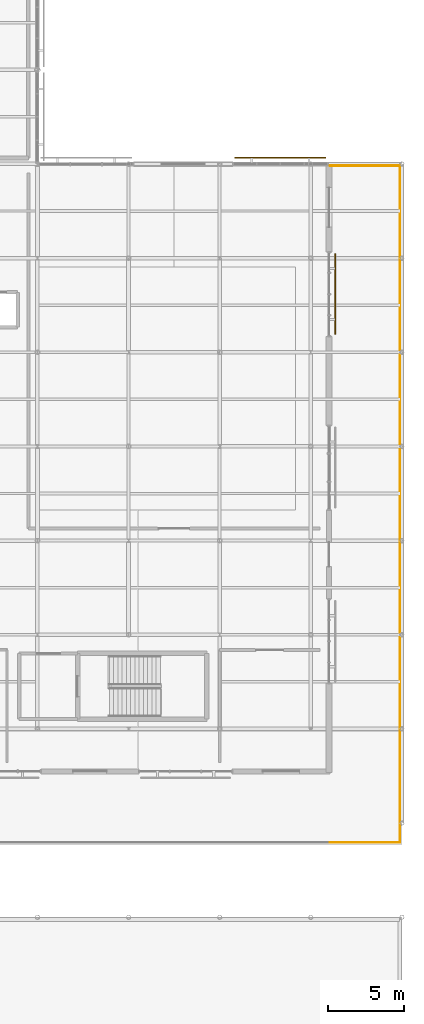
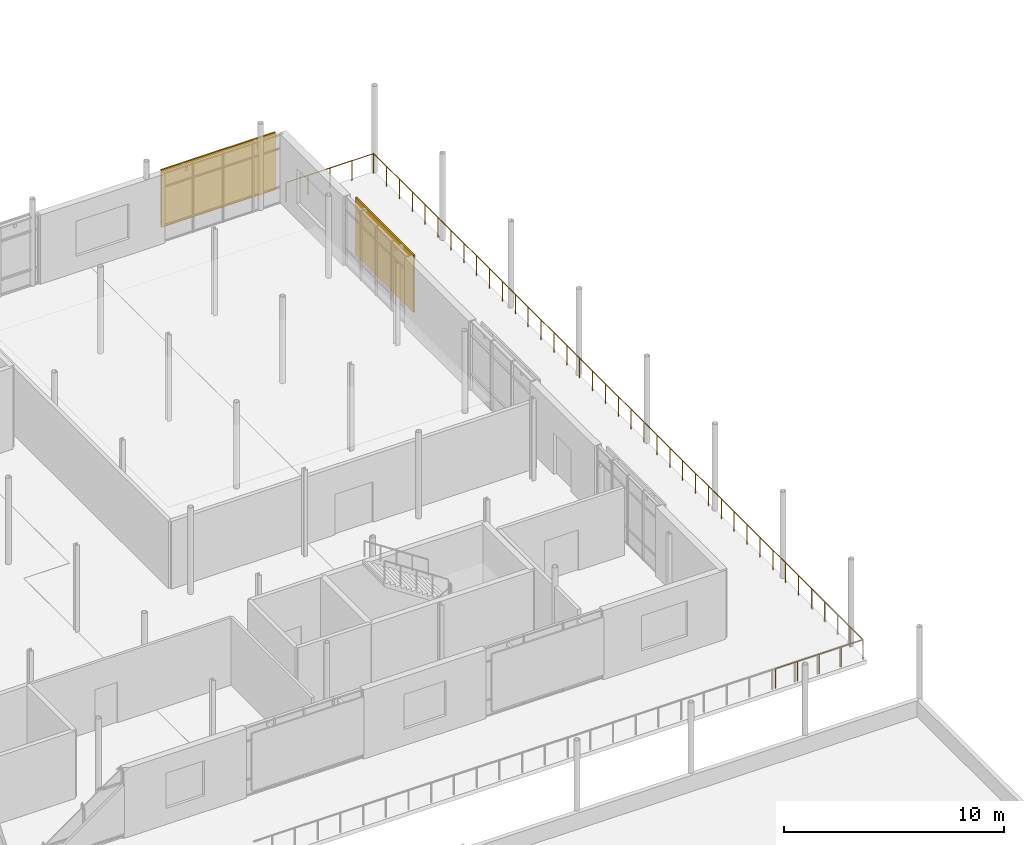
# One storey, part 66 of 66: 2 shading devices, 1 railing.
"""IFC4 building model written with IfcOpenShell, lengths in metres."""

from ifc_helpers import new_model, si_unit, direction, frame, origin, origin_2d, place, context, subcontext, project, spatial, rectangle, circle, extrude, material, layer, layer_set, type_object, element, save


model = new_model("IFC4")

# Units and contexts
model_context = context("Model", 3, precision=1e-05, world=origin(), true_north=direction((0.0, 1.0)))
body_context = subcontext(model_context, "Body", "Model", "MODEL_VIEW")
ifc_project = project(units=[si_unit("LENGTHUNIT", "METRE"), si_unit("AREAUNIT", "SQUARE_METRE"), si_unit("VOLUMEUNIT", "CUBIC_METRE"), si_unit("PLANEANGLEUNIT", "RADIAN"), si_unit("MASSUNIT", "GRAM", prefix="KILO")], contexts=[model_context])

# Site, building, storey
site_placement = place(None, origin())
site = spatial("IfcSite", under=ifc_project, at=site_placement, CompositionType="ELEMENT")
building_placement = place(site_placement, origin())
building = spatial("IfcBuilding", under=site, at=building_placement, Name="Mirzam Square Science Centre", CompositionType="ELEMENT")
storey_placement = place(building_placement, frame((0.0, 0.0, 15.60009765625)))
storey = spatial("IfcBuildingStorey", under=building, at=storey_placement, Name="L03", CompositionType="ELEMENT", Elevation=15.60009765625)

# Railing
ifc_material_1 = material(Name="Bronze-Anodised Architectural Balustrade", Category="aluminium")
railing_type = type_object("IfcRailingType", Name="RL-TERR-GUARD-1100", PredefinedType="GUARDRAIL", material=ifc_material_1)
railing_placement = place(storey_placement, frame((157.280029296875, 42.1201171875, 0.0)))
element("IfcRailing", 1, at=railing_placement, inside=storey, type_object=railing_type, Name="L03 east terrace guard", PredefinedType="GUARDRAIL", context=body_context, shape_type="SweptSolid", body=[
    extrude(circle(Radius=0.02392578125, at=origin_2d()), frame((0.0, 0.0, 1.09619140625), z_axis=(1.0, 0.0, 0.0), x_axis=(0.0, 1.0, 0.0)), (0.0, 0.0, 1.0), 4.599853515625),
    extrude(circle(Radius=0.02392578125, at=origin_2d()), frame((4.599853515625, 0.0, 1.09619140625), z_axis=(0.0, 1.0, 0.0), x_axis=(-1.0, 0.0, 0.0)), (0.0, 0.0, 1.0), 44.559814453125),
    extrude(circle(Radius=0.02392578125, at=origin_2d()), frame((4.599853515625, 44.559814453125, 1.09619140625), z_axis=(-1.0, 0.0, 0.0), x_axis=(0.0, -1.0, 0.0)), (0.0, 0.0, 1.0), 4.599853515625),
    extrude(circle(Radius=0.02099609375, at=origin_2d()), origin(), (0.0, 0.0, 1.0), 1.072021484375),
    extrude(circle(Radius=0.02099609375, at=origin_2d()), frame((1.14990234375, 0.0, 0.0)), (0.0, 0.0, 1.0), 1.072021484375),
    extrude(circle(Radius=0.02099609375, at=origin_2d()), frame((2.2998046875, 0.0, 0.0)), (0.0, 0.0, 1.0), 1.072021484375),
    extrude(circle(Radius=0.02099609375, at=origin_2d()), frame((3.449951171875, 0.0, 0.0)), (0.0, 0.0, 1.0), 1.072021484375),
    extrude(circle(Radius=0.02099609375, at=origin_2d()), frame((4.599853515625, 0.0, 0.0)), (0.0, 0.0, 1.0), 1.072021484375),
    extrude(circle(Radius=0.02099609375, at=origin_2d()), frame((4.599853515625, 1.172607421875, 0.0)), (0.0, 0.0, 1.0), 1.072021484375),
    extrude(circle(Radius=0.02099609375, at=origin_2d()), frame((4.599853515625, 2.34521484375, 0.0)), (0.0, 0.0, 1.0), 1.072021484375),
    extrude(circle(Radius=0.02099609375, at=origin_2d()), frame((4.599853515625, 3.517822265625, 0.0)), (0.0, 0.0, 1.0), 1.072021484375),
    extrude(circle(Radius=0.02099609375, at=origin_2d()), frame((4.599853515625, 4.6904296875, 0.0)), (0.0, 0.0, 1.0), 1.072021484375),
    extrude(circle(Radius=0.02099609375, at=origin_2d()), frame((4.599853515625, 5.863037109375, 0.0)), (0.0, 0.0, 1.0), 1.072021484375),
    extrude(circle(Radius=0.02099609375, at=origin_2d()), frame((4.599853515625, 7.03564453125, 0.0)), (0.0, 0.0, 1.0), 1.072021484375),
    extrude(circle(Radius=0.02099609375, at=origin_2d()), frame((4.599853515625, 8.20849609375, 0.0)), (0.0, 0.0, 1.0), 1.072021484375),
    extrude(circle(Radius=0.02099609375, at=origin_2d()), frame((4.599853515625, 9.381103515625, 0.0)), (0.0, 0.0, 1.0), 1.072021484375),
    extrude(circle(Radius=0.02099609375, at=origin_2d()), frame((4.599853515625, 10.5537109375, 0.0)), (0.0, 0.0, 1.0), 1.072021484375),
    extrude(circle(Radius=0.02099609375, at=origin_2d()), frame((4.599853515625, 11.726318359375, 0.0)), (0.0, 0.0, 1.0), 1.072021484375),
    extrude(circle(Radius=0.02099609375, at=origin_2d()), frame((4.599853515625, 12.89892578125, 0.0)), (0.0, 0.0, 1.0), 1.072021484375),
    extrude(circle(Radius=0.02099609375, at=origin_2d()), frame((4.599853515625, 14.071533203125, 0.0)), (0.0, 0.0, 1.0), 1.072021484375),
    extrude(circle(Radius=0.02099609375, at=origin_2d()), frame((4.599853515625, 15.244140625, 0.0)), (0.0, 0.0, 1.0), 1.072021484375),
    extrude(circle(Radius=0.02099609375, at=origin_2d()), frame((4.599853515625, 16.416748046875, 0.0)), (0.0, 0.0, 1.0), 1.072021484375),
    extrude(circle(Radius=0.02099609375, at=origin_2d()), frame((4.599853515625, 17.58935546875, 0.0)), (0.0, 0.0, 1.0), 1.072021484375),
    extrude(circle(Radius=0.02099609375, at=origin_2d()), frame((4.599853515625, 18.761962890625, 0.0)), (0.0, 0.0, 1.0), 1.072021484375),
    extrude(circle(Radius=0.02099609375, at=origin_2d()), frame((4.599853515625, 19.9345703125, 0.0)), (0.0, 0.0, 1.0), 1.072021484375),
    extrude(circle(Radius=0.02099609375, at=origin_2d()), frame((4.599853515625, 21.107177734375, 0.0)), (0.0, 0.0, 1.0), 1.072021484375),
    extrude(circle(Radius=0.02099609375, at=origin_2d()), frame((4.599853515625, 22.27978515625, 0.0)), (0.0, 0.0, 1.0), 1.072021484375),
    extrude(circle(Radius=0.02099609375, at=origin_2d()), frame((4.599853515625, 23.45263671875, 0.0)), (0.0, 0.0, 1.0), 1.072021484375),
    extrude(circle(Radius=0.02099609375, at=origin_2d()), frame((4.599853515625, 24.625244140625, 0.0)), (0.0, 0.0, 1.0), 1.072021484375),
    extrude(circle(Radius=0.02099609375, at=origin_2d()), frame((4.599853515625, 25.7978515625, 0.0)), (0.0, 0.0, 1.0), 1.072021484375),
    extrude(circle(Radius=0.02099609375, at=origin_2d()), frame((4.599853515625, 26.970458984375, 0.0)), (0.0, 0.0, 1.0), 1.072021484375),
    extrude(circle(Radius=0.02099609375, at=origin_2d()), frame((4.599853515625, 28.14306640625, 0.0)), (0.0, 0.0, 1.0), 1.072021484375),
    extrude(circle(Radius=0.02099609375, at=origin_2d()), frame((4.599853515625, 29.315673828125, 0.0)), (0.0, 0.0, 1.0), 1.072021484375),
    extrude(circle(Radius=0.02099609375, at=origin_2d()), frame((4.599853515625, 30.48828125, 0.0)), (0.0, 0.0, 1.0), 1.072021484375),
    extrude(circle(Radius=0.02099609375, at=origin_2d()), frame((4.599853515625, 31.660888671875, 0.0)), (0.0, 0.0, 1.0), 1.072021484375),
    extrude(circle(Radius=0.02099609375, at=origin_2d()), frame((4.599853515625, 32.83349609375, 0.0)), (0.0, 0.0, 1.0), 1.072021484375),
    extrude(circle(Radius=0.02099609375, at=origin_2d()), frame((4.599853515625, 34.006103515625, 0.0)), (0.0, 0.0, 1.0), 1.072021484375),
    extrude(circle(Radius=0.02099609375, at=origin_2d()), frame((4.599853515625, 35.1787109375, 0.0)), (0.0, 0.0, 1.0), 1.072021484375),
    extrude(circle(Radius=0.02099609375, at=origin_2d()), frame((4.599853515625, 36.351318359375, 0.0)), (0.0, 0.0, 1.0), 1.072021484375),
    extrude(circle(Radius=0.02099609375, at=origin_2d()), frame((4.599853515625, 37.524169921875, 0.0)), (0.0, 0.0, 1.0), 1.072021484375),
    extrude(circle(Radius=0.02099609375, at=origin_2d()), frame((4.599853515625, 38.69677734375, 0.0)), (0.0, 0.0, 1.0), 1.072021484375),
    extrude(circle(Radius=0.02099609375, at=origin_2d()), frame((4.599853515625, 39.869384765625, 0.0)), (0.0, 0.0, 1.0), 1.072021484375),
    extrude(circle(Radius=0.02099609375, at=origin_2d()), frame((4.599853515625, 41.0419921875, 0.0)), (0.0, 0.0, 1.0), 1.072021484375),
    extrude(circle(Radius=0.02099609375, at=origin_2d()), frame((4.599853515625, 42.214599609375, 0.0)), (0.0, 0.0, 1.0), 1.072021484375),
    extrude(circle(Radius=0.02099609375, at=origin_2d()), frame((4.599853515625, 43.38720703125, 0.0)), (0.0, 0.0, 1.0), 1.072021484375),
    extrude(circle(Radius=0.02099609375, at=origin_2d()), frame((4.599853515625, 44.559814453125, 0.0)), (0.0, 0.0, 1.0), 1.072021484375),
    extrude(circle(Radius=0.02099609375, at=origin_2d()), frame((3.449951171875, 44.559814453125, 0.0)), (0.0, 0.0, 1.0), 1.072021484375),
    extrude(circle(Radius=0.02099609375, at=origin_2d()), frame((2.2998046875, 44.559814453125, 0.0)), (0.0, 0.0, 1.0), 1.072021484375),
    extrude(circle(Radius=0.02099609375, at=origin_2d()), frame((1.14990234375, 44.559814453125, 0.0)), (0.0, 0.0, 1.0), 1.072021484375),
    extrude(circle(Radius=0.02099609375, at=origin_2d()), frame((0.0, 44.559814453125, 0.0)), (0.0, 0.0, 1.0), 1.072021484375),
])

# Shading devices
ifc_material_2 = material(Name="Perforated Bronze-Anodised Aluminium Brise-Soleil", Category="aluminium")
ifc_layer = layer(ifc_material_2, 0.080078125)
ifc_layer_set = layer_set([ifc_layer], Name="SHD-BRISE-BRONZE")
shading_device_type = type_object("IfcShadingDeviceType", Name="SHD-BRISE-BRONZE", PredefinedType="JALOUSIE", material=ifc_layer_set)
shading_device_1_placement = place(storey_placement, frame((157.610107421875, 78.228515625, 0.48974609375), z_axis=(0.0, 0.0, 1.0), x_axis=(0.0, 1.0, 0.0)))
element("IfcShadingDevice", 2, at=shading_device_1_placement, inside=storey, type_object=shading_device_type, Name="L03 bronze brise-soleil screen 119", PredefinedType="JALOUSIE", context=body_context, shape_type="SweptSolid", body=[
    extrude(rectangle(XDim=5.30419921875, YDim=0.080078125, at=origin_2d()), origin(), (0.0, 0.0, 1.0), 3.199951171875),
])
shading_device_2_placement = place(storey_placement, frame((154.0, 87.2099609375, 0.48974609375), z_axis=(0.0, 0.0, 1.0), x_axis=(-1.0, 0.0, 0.0)))
element("IfcShadingDevice", 3, at=shading_device_2_placement, inside=storey, type_object=shading_device_type, Name="L03 bronze brise-soleil screen 120", PredefinedType="JALOUSIE", context=body_context, shape_type="SweptSolid", body=[
    extrude(rectangle(XDim=5.989990234375, YDim=0.080078125, at=origin_2d()), origin(), (0.0, 0.0, 1.0), 3.199951171875),
])

save(model, "model.ifc")
